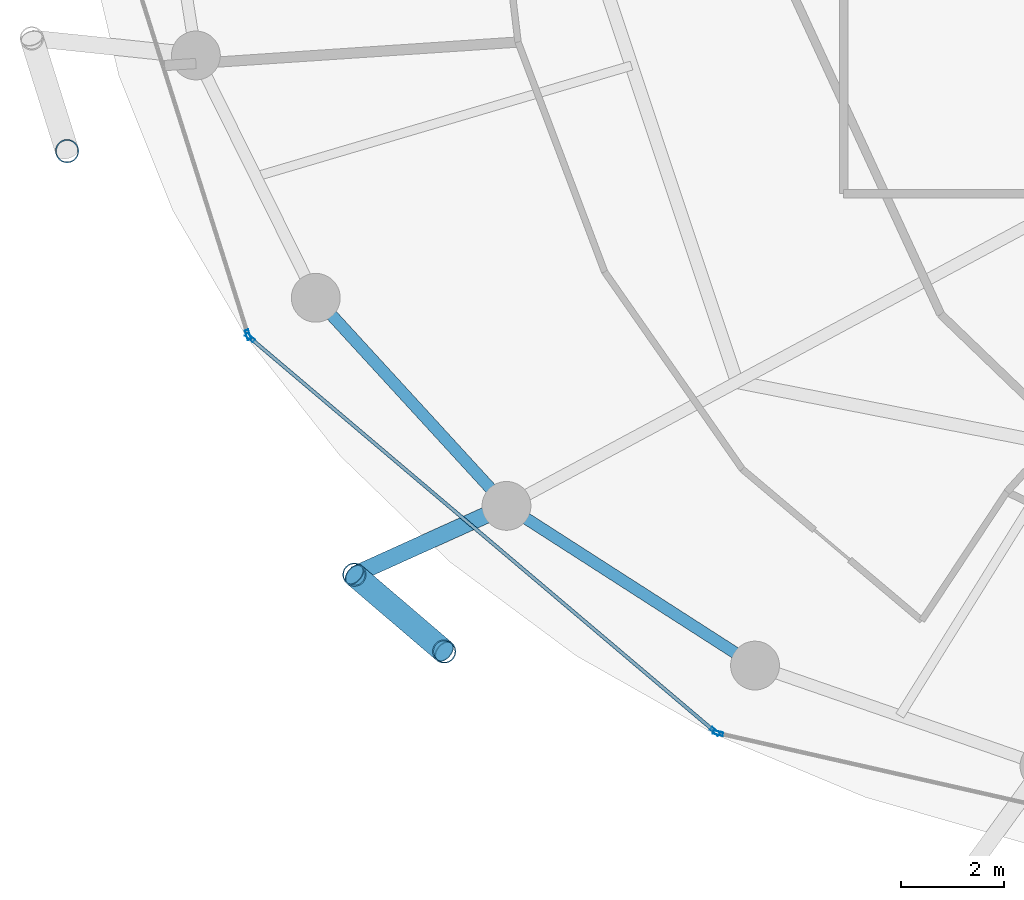
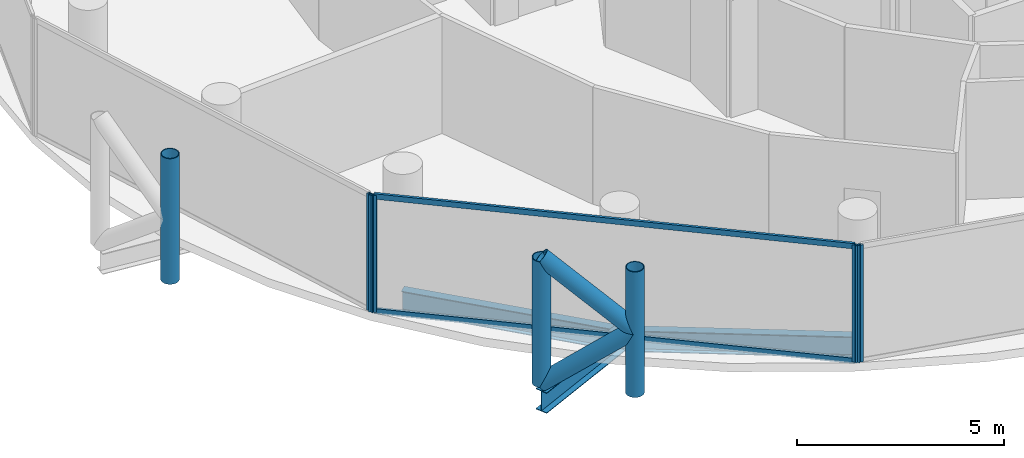
# One storey, part 2 of 26: 11 members, 3 beams, 3 elements without a shape of their own.
"""IFC4 building model written with IfcOpenShell, lengths in metres."""

from ifc_helpers import new_model, si_unit, direction, frame, origin, origin_2d, place, context, subcontext, project, spatial, hollow_rectangle, hollow_circle, i_section, extrude, material, layer, layer_set, material_profile, profile_set, type_object, element, aggregate, save


model = new_model("IFC4")

# Units and contexts
model_context = context("Model", 3, precision=1e-05, world=origin(), true_north=direction((0.0, 1.0)))
body_context = subcontext(model_context, "Body", "Model", "MODEL_VIEW")
ifc_project = project(units=[si_unit("LENGTHUNIT", "METRE"), si_unit("AREAUNIT", "SQUARE_METRE"), si_unit("VOLUMEUNIT", "CUBIC_METRE"), si_unit("PLANEANGLEUNIT", "RADIAN"), si_unit("MASSUNIT", "GRAM", prefix="KILO")], contexts=[model_context])

# Site, building, storey
site_placement = place(None, origin())
site = spatial("IfcSite", under=ifc_project, at=site_placement, CompositionType="ELEMENT")
building_placement = place(site_placement, origin())
building = spatial("IfcBuilding", under=site, at=building_placement, Name="Nuhasar Tower", CompositionType="ELEMENT")
storey_placement = place(building_placement, frame((0.0, 0.0, 151.550048828125)))
storey = spatial("IfcBuildingStorey", under=building, at=storey_placement, Name="L36", CompositionType="ELEMENT", Elevation=151.550048828125)

# Beams
ifc_material_1 = material(Name="Steel S355", Category="steel")
ifc_material_profile_1 = material_profile(ifc_material_1, i_section(OverallWidth=0.22998046875, OverallDepth=0.616943359375, WebThickness=0.01318359375, FlangeThickness=0.022216796875, at=origin_2d()), Name="W24X94")
ifc_profile_set_1 = profile_set([ifc_material_profile_1], Name="Steel S355")
beam_type_1 = type_object("IfcBeamType", Name="BM-RING-W24X94", PredefinedType="SPANDREL", material=ifc_profile_set_1)
beam_1_placement = place(storey_placement, frame((18.778076171875, 17.02490234375, -0.55810546875), z_axis=(0.675676316545, -0.737198423262, 0.0), x_axis=(0.737198423262, 0.675676316545, 0.0)))
element("IfcBeam", 1, at=beam_1_placement, inside=storey, type_object=beam_type_1, Name="L36 Perimeter Ring Spandrel 15", PredefinedType="SPANDREL", context=body_context, shape_type="SweptSolid", body=[
    extrude(i_section(OverallWidth=0.22998046875, OverallDepth=0.616943359375, WebThickness=0.01318359375, FlangeThickness=0.022216796875, at=origin_2d()), origin(), (0.0, 0.0, 1.0), 5.4921875),
])
beam_2_placement = place(storey_placement, frame((22.489013671875, 12.97607421875, -0.55810546875), z_axis=(0.841308170616, -0.540555789955, 0.0), x_axis=(0.540555789955, 0.841308170616, 0.0)))
element("IfcBeam", 2, at=beam_2_placement, inside=storey, type_object=beam_type_1, Name="L36 Perimeter Ring Spandrel 16", PredefinedType="SPANDREL", context=body_context, shape_type="SweptSolid", body=[
    extrude(i_section(OverallWidth=0.22998046875, OverallDepth=0.616943359375, WebThickness=0.01318359375, FlangeThickness=0.022216796875, at=origin_2d()), origin(), (0.0, 0.0, 1.0), 5.748046875),
])
ifc_material_profile_2 = material_profile(ifc_material_1, i_section(OverallWidth=0.323974609375, OverallDepth=0.611083984375, WebThickness=0.0126953125, FlangeThickness=0.01904296875, at=origin_2d()), Name="W24X104")
ifc_profile_set_2 = profile_set([ifc_material_profile_2], Name="Steel S355")
beam_type_2 = type_object("IfcBeamType", Name="BM-TIE-W24X104", PredefinedType="BEAM", material=ifc_profile_set_2)
beam_3_placement = place(storey_placement, frame((22.489013671875, 12.97607421875, -0.554931640625), z_axis=(-0.911211381786, -0.411939094653, 0.0), x_axis=(0.411939094653, -0.911211381786, 0.0)))
element("IfcBeam", 3, at=beam_3_placement, inside=storey, type_object=beam_type_2, Name="L36 Exoskeleton Node Tie Beam 08", PredefinedType="BEAM", context=body_context, shape_type="SweptSolid", body=[
    extrude(i_section(OverallWidth=0.323974609375, OverallDepth=0.611083984375, WebThickness=0.0126953125, FlangeThickness=0.01904296875, at=origin_2d()), origin(), (0.0, 0.0, 1.0), 3.248291015625),
])

# Curtain wall, member
ifc_material_2 = material(Name="Aluminium 6063-T6", Category="aluminium")
ifc_layer = layer(ifc_material_2, 0.199951171875)
ifc_layer_set = layer_set([ifc_layer], Name="Aluminium 6063-T6")
curtain_wall_type = type_object("IfcCurtainWallType", Name="CW-Z2-HTL", PredefinedType="NOTDEFINED", material=ifc_layer_set)
curtain_wall_1_placement = place(storey_placement, origin())
curtain_wall_1 = element("IfcCurtainWall", 4, at=curtain_wall_1_placement, inside=storey, type_object=curtain_wall_type, Name="L36 Unitised Curtain Wall 07", PredefinedType="NOTDEFINED")
ifc_material_profile_3 = material_profile(ifc_material_2, hollow_rectangle(XDim=0.070068359375, YDim=0.199951171875, WallThickness=0.0048828125, at=origin_2d()), Name="CWM-3")
ifc_profile_set_3 = profile_set([ifc_material_profile_3], Name="Aluminium 6063-T6")
member_type_1 = type_object("IfcMemberType", Name="CW-MUL-S3", PredefinedType="MULLION", material=ifc_profile_set_3)
member_1_placement = place(storey_placement, frame((17.46044921875, 16.303466796875, 0.0), z_axis=(0.0, 0.0, 1.0), x_axis=(0.953433389233, 0.301603667577, 0.0)))
member_1 = element("IfcMember", 5, at=member_1_placement, type_object=member_type_1, Name="CW-Z2 mullion 2", PredefinedType="MULLION", context=body_context, shape_type="SweptSolid", body=[
    extrude(hollow_rectangle(XDim=0.070068359375, YDim=0.199951171875, WallThickness=0.0048828125, at=origin_2d()), origin(), (0.0, 0.0, 1.0), 3.449951171875),
])
aggregate(curtain_wall_1, [member_1])

# Curtain wall, members
curtain_wall_2_placement = place(storey_placement, origin())
curtain_wall_2 = element("IfcCurtainWall", 6, at=curtain_wall_2_placement, inside=storey, type_object=curtain_wall_type, Name="L36 Unitised Curtain Wall 08", PredefinedType="NOTDEFINED")
member_2_placement = place(storey_placement, frame((17.497802734375, 16.247314453125, 0.0), z_axis=(0.0, 0.0, 1.0), x_axis=(0.646374438324, 0.763020370292, 0.0)))
member_2 = element("IfcMember", 7, at=member_2_placement, type_object=member_type_1, Name="CW-Z2 mullion 1", PredefinedType="MULLION", context=body_context, shape_type="SweptSolid", body=[
    extrude(hollow_rectangle(XDim=0.070068359375, YDim=0.199951171875, WallThickness=0.0048828125, at=origin_2d()), origin(), (0.0, 0.0, 1.0), 3.449951171875),
])
member_3_placement = place(storey_placement, frame((26.543212890625, 8.584716796875, 0.0), z_axis=(0.0, 0.0, 1.0), x_axis=(0.646374438324, 0.763020370292, 0.0)))
member_3 = element("IfcMember", 8, at=member_3_placement, type_object=member_type_1, Name="CW-Z2 mullion 2", PredefinedType="MULLION", context=body_context, shape_type="SweptSolid", body=[
    extrude(hollow_rectangle(XDim=0.070068359375, YDim=0.199951171875, WallThickness=0.0048828125, at=origin_2d()), origin(), (0.0, 0.0, 1.0), 3.449951171875),
])

# Curtain wall, member
curtain_wall_3_placement = place(storey_placement, origin())
curtain_wall_3 = element("IfcCurtainWall", 9, at=curtain_wall_3_placement, inside=storey, type_object=curtain_wall_type, Name="L36 Unitised Curtain Wall 09", PredefinedType="NOTDEFINED")
member_4_placement = place(storey_placement, frame((26.604248046875, 8.55419921875, 0.0), z_axis=(0.0, 0.0, 1.0), x_axis=(0.22139729566, 0.975183694221, 0.0)))
member_4 = element("IfcMember", 10, at=member_4_placement, type_object=member_type_1, Name="CW-Z2 mullion 1", PredefinedType="MULLION", context=body_context, shape_type="SweptSolid", body=[
    extrude(hollow_rectangle(XDim=0.070068359375, YDim=0.199951171875, WallThickness=0.0048828125, at=origin_2d()), origin(), (0.0, 0.0, 1.0), 3.449951171875),
])
aggregate(curtain_wall_3, [member_4])

# Member
ifc_material_profile_4 = material_profile(ifc_material_2, hollow_rectangle(XDim=0.070068359375, YDim=0.159912109375, WallThickness=0.00439453125, at=origin_2d()), Name="CWT-3")
ifc_profile_set_4 = profile_set([ifc_material_profile_4], Name="Aluminium 6063-T6")
member_type_2 = type_object("IfcMemberType", Name="CW-TRN-S3", PredefinedType="USERDEFINED", material=ifc_profile_set_4)
member_5_placement = place(storey_placement, frame((17.5244140625, 16.224853515625, 0.034912109375), z_axis=(0.763013698099, -0.646382314511, 0.0), x_axis=(0.646382314511, 0.763013698099, 0.0)))
member_5 = element("IfcMember", 11, at=member_5_placement, type_object=member_type_2, Name="CW-Z2 transom 1.1", ObjectType="TRANSOM", PredefinedType="USERDEFINED", context=body_context, shape_type="SweptSolid", body=[
    extrude(hollow_rectangle(XDim=0.070068359375, YDim=0.159912109375, WallThickness=0.00439453125, at=origin_2d()), origin(), (0.0, 0.0, 1.0), 11.78515625),
])

member_6_placement = place(storey_placement, frame((17.5244140625, 16.224853515625, 3.4150390625), z_axis=(0.763013698099, -0.646382314511, 0.0), x_axis=(0.646382314511, 0.763013698099, 0.0)))
member_6 = element("IfcMember", 12, at=member_6_placement, type_object=member_type_2, Name="CW-Z2 transom 1.2", ObjectType="TRANSOM", PredefinedType="USERDEFINED", context=body_context, shape_type="SweptSolid", body=[
    extrude(hollow_rectangle(XDim=0.070068359375, YDim=0.159912109375, WallThickness=0.00439453125, at=origin_2d()), origin(), (0.0, 0.0, 1.0), 11.78515625),
])

aggregate(curtain_wall_2, [member_2, member_3, member_5, member_6])

# Members
ifc_material_3 = material(Name="Steel S460", Category="steel")
ifc_material_profile_5 = material_profile(ifc_material_3, hollow_circle(Radius=0.228515625, WallThickness=0.022216796875, at=origin_2d()), Name="HSS457X22.2")
ifc_profile_set_5 = profile_set([ifc_material_profile_5], Name="Steel S460")
member_type_3 = type_object("IfcMemberType", Name="EXO-BRONZE-457", PredefinedType="BRACE", material=ifc_profile_set_5)
for number, where, z_axis, x_axis, name in (
    (13, (13.93994140625, 19.87890625, 0.0), (0.0, 0.0, 1.0), (1.0, 0.0, 0.0), "L36 Exoskeleton Chord Column EC-07B"),
    (14, (19.529052734375, 11.637939453125, 0.0), (0.0, 0.0, 1.0), (1.0, 0.0, 0.0), "L36 Exoskeleton Chord Column EC-08A"),
    (15, (21.277099609375, 10.14306640625, 0.0), (0.0, 0.0, 1.0), (1.0, 0.0, 0.0), "L36 Exoskeleton Chord Column EC-08B"),
):
    element("IfcMember", number, at=place(storey_placement, frame(where, z_axis=z_axis, x_axis=x_axis)), inside=storey, type_object=member_type_3, Name=name, PredefinedType="BRACE", context=body_context, shape_type="SweptSolid", body=[
        extrude(hollow_circle(Radius=0.228515625, WallThickness=0.022216796875, at=origin_2d()), origin(), (0.0, 0.0, 1.0), 3.699951171875),
    ])
member_7_placement = place(storey_placement, frame((19.529052734375, 11.637939453125, 0.0), z_axis=(0.592225874743, -0.506452378638, 0.626717242029), x_axis=(0.649925557156, 0.7599978751, 0.0)))
element("IfcMember", 16, at=member_7_placement, inside=storey, type_object=member_type_3, Name="L36 Bronze Diagrid Brace W1-08", PredefinedType="BRACE", context=body_context, shape_type="SweptSolid", body=[
    extrude(hollow_circle(Radius=0.228515625, WallThickness=0.022216796875, at=origin_2d()), origin(), (0.0, 0.0, 1.0), 2.95166015625),
])
member_8_placement = place(storey_placement, frame((21.277099609375, 10.14306640625, 1.849853515625), z_axis=(-0.592195175458, 0.506426125604, 0.626767463634), x_axis=(-0.649925557156, -0.7599978751, 0.0)))
element("IfcMember", 17, at=member_8_placement, inside=storey, type_object=member_type_3, Name="L36 Bronze Diagrid Brace W2-08", PredefinedType="BRACE", context=body_context, shape_type="SweptSolid", body=[
    extrude(hollow_circle(Radius=0.228515625, WallThickness=0.022216796875, at=origin_2d()), origin(), (0.0, 0.0, 1.0), 2.951904296875),
])

save(model, "model.ifc")
